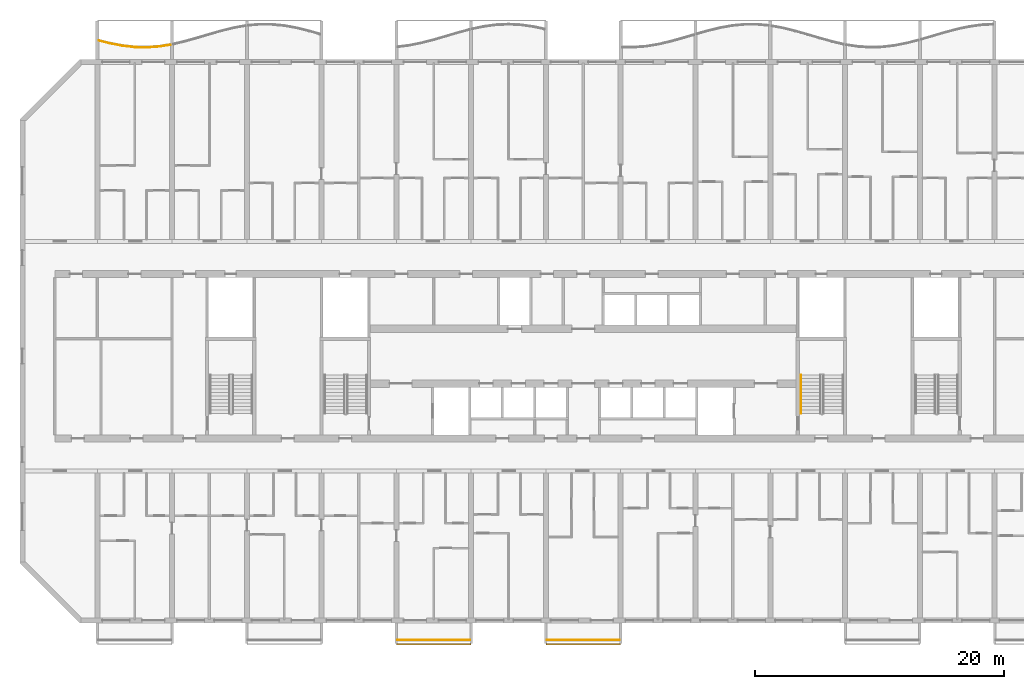
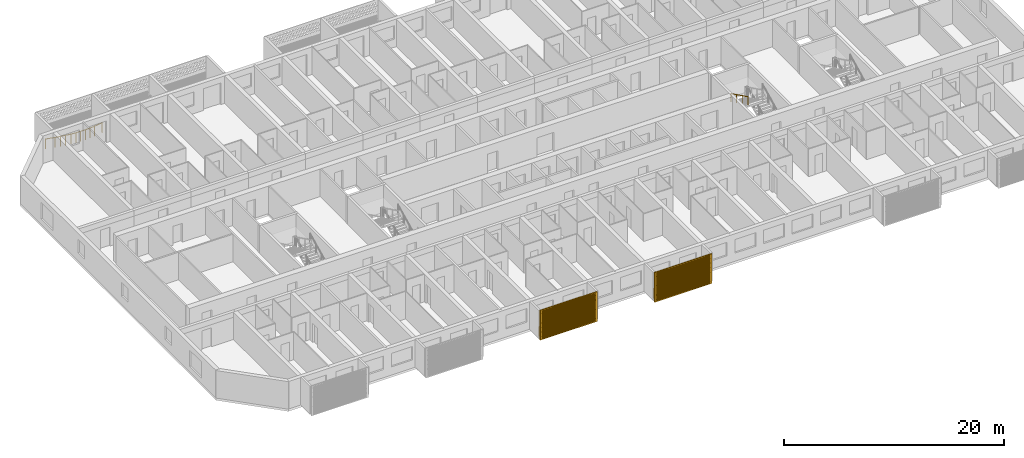
# One storey, part 19 of 39: 4 railings, 2 shading devices.
"""IFC4 building model written with IfcOpenShell, lengths in metres."""

import ifcopenshell
import ifcopenshell.guid

model = None  # the IFC model being written
_history = None  # IfcOwnerHistory: only IFC2X3 demands one
_inside = {}  # id of a spatial element -> (the spatial element, [elements in it])
_under = {}  # id of a project, library or spatial element -> (it, [spatial elements below it])
_declared = {}  # id of a project -> (the project, [libraries it declares])
_typed = {}  # id of a type object -> (the type object, [elements of that type])
_made_of = {}  # id of a material, layer set ... -> (it, [elements and type objects made of it])


def new_model(schema):
    """Start an empty IFC model of exactly this schema.

    Asked for "IFC4X3", IfcOpenShell would pick the latest addendum, in which some entities
    have other attributes; the version numbers below select the first issue.
    IFC2X3 requires an IfcOwnerHistory on every rooted entity: one is made here for all.
    """
    global model, _history
    if schema == "IFC4X3":
        model = ifcopenshell.file(schema_version=(4, 3, 0, 0))
    else:
        model = ifcopenshell.file(schema=schema)
    _inside.clear()
    _under.clear()
    _declared.clear()
    _typed.clear()
    _made_of.clear()
    _history = None
    if model.schema == "IFC2X3":
        org = make("IfcOrganization", Name="unknown")
        user = make(
            "IfcPersonAndOrganization",
            ThePerson=make("IfcPerson", FamilyName="unknown"),
            TheOrganization=org,
        )
        app = make(
            "IfcApplication",
            ApplicationDeveloper=org,
            Version="unknown",
            ApplicationFullName="unknown",
            ApplicationIdentifier="unknown",
        )
        _history = make(
            "IfcOwnerHistory",
            OwningUser=user,
            OwningApplication=app,
            ChangeAction="ADDED",
            CreationDate=0,
        )
    return model


def make(cls, **values):
    """One entity of the class cls with the attributes given. An attribute that is None is left unset."""
    return model.create_entity(
        cls, **{name: value for name, value in values.items() if value is not None}
    )


def rooted(cls, **values):
    """An entity with a GlobalId (a new one), such as an element, a storey or a relation."""
    return make(cls, GlobalId=ifcopenshell.guid.new(), OwnerHistory=_history, **values)


def si_unit(unit_type, name, prefix=None):
    """IfcSIUnit, for example si_unit("LENGTHUNIT", "METRE", prefix="MILLI")."""
    return make("IfcSIUnit", UnitType=unit_type, Prefix=prefix, Name=name)


def assignment(units):
    """IfcUnitAssignment: the units of a project."""
    return None if units is None else make("IfcUnitAssignment", Units=units)


def point(xyz):
    """IfcCartesianPoint."""
    return None if xyz is None else make("IfcCartesianPoint", Coordinates=xyz)


def direction(xyz):
    """IfcDirection."""
    return None if xyz is None else make("IfcDirection", DirectionRatios=xyz)


def frame(location, z_axis=None, x_axis=None):
    """IfcAxis2Placement3D, a coordinate frame: its origin and axes. An axis left out is left unset."""
    return make(
        "IfcAxis2Placement3D",
        Location=point(location),
        Axis=direction(z_axis),
        RefDirection=direction(x_axis),
    )


def frame_2d(location, x_axis=None):
    """IfcAxis2Placement2D, a coordinate frame in the plane: its origin and x axis."""
    return make(
        "IfcAxis2Placement2D", Location=point(location), RefDirection=direction(x_axis)
    )


def origin():
    """The frame at (0, 0, 0) with its axes left unset."""
    return frame((0.0, 0.0, 0.0))


def origin_2d():
    """The frame at (0, 0) in the plane with its x axis left unset."""
    return frame_2d((0.0, 0.0))


def place(relative_to, where):
    """IfcLocalPlacement: puts the frame where relative to a parent placement (None: the world)."""
    return make(
        "IfcLocalPlacement", PlacementRelTo=relative_to, RelativePlacement=where
    )


def context(
    kind, dimensions, precision=None, world=None, true_north=None, identifier=None
):
    """IfcGeometricRepresentationContext, for example the 3D "Model" context."""
    return make(
        "IfcGeometricRepresentationContext",
        ContextIdentifier=identifier,
        ContextType=kind,
        CoordinateSpaceDimension=dimensions,
        Precision=precision,
        WorldCoordinateSystem=world,
        TrueNorth=true_north,
    )


def subcontext(parent, identifier, kind, view, scale=None):
    """IfcGeometricRepresentationSubContext, for example "Body" below "Model"."""
    return make(
        "IfcGeometricRepresentationSubContext",
        ContextIdentifier=identifier,
        ContextType=kind,
        ParentContext=parent,
        TargetScale=scale,
        TargetView=view,
    )


def project(units=None, contexts=None):
    """IfcProject with its units and contexts."""
    return rooted(
        "IfcProject",
        Name="project",
        RepresentationContexts=contexts,
        UnitsInContext=assignment(units),
    )


def spatial(cls, under=None, at=None, **own):
    """A site, building, storey or space (cls), placed at a placement, below another one or the project."""
    s = rooted(cls, ObjectPlacement=at, **own)
    if under is not None:
        _under.setdefault(under.id(), (under, []))[1].append(s)
    return s


def polyline(points):
    """IfcPolyline through the points."""
    return make("IfcPolyline", Points=[point(p) for p in points])


def profile(cls, at=None, kind="AREA", **sizes):
    """A parametric profile (cls). Its sizes go by their IFC names, for example OverallWidth=200.0."""
    return make(cls, ProfileType=kind, Position=at, **sizes)


def circle(**sizes):
    """IfcCircleProfileDef."""
    return profile("IfcCircleProfileDef", **sizes)


def outline(outer, holes=None, kind="AREA"):
    """IfcArbitraryClosedProfileDef: a profile drawn as a closed curve; with holes, ...WithVoids."""
    if holes is None:
        return make("IfcArbitraryClosedProfileDef", ProfileType=kind, OuterCurve=outer)
    return make(
        "IfcArbitraryProfileDefWithVoids",
        ProfileType=kind,
        OuterCurve=outer,
        InnerCurves=holes,
    )


def extrude(swept, where, along, depth):
    """IfcExtrudedAreaSolid: the profile swept, set in the frame where, extruded along a direction by depth."""
    return make(
        "IfcExtrudedAreaSolid",
        SweptArea=swept,
        Position=where,
        ExtrudedDirection=direction(along),
        Depth=depth,
    )


def shape(context_of_items, identifier, shape_type, items):
    """IfcShapeRepresentation: the items that make up one representation, for example the "Body"."""
    return make(
        "IfcShapeRepresentation",
        ContextOfItems=context_of_items,
        RepresentationIdentifier=identifier,
        RepresentationType=shape_type,
        Items=items,
    )


def source(mapping_origin, context_of_items, identifier, shape_type, items):
    """IfcRepresentationMap: a shape defined once, which mapped items show again and again."""
    return make(
        "IfcRepresentationMap",
        MappingOrigin=mapping_origin,
        MappedRepresentation=shape(context_of_items, identifier, shape_type, items),
    )


def transform(
    local_origin,
    x_axis=None,
    y_axis=None,
    z_axis=None,
    scale=None,
    scale2=None,
    scale3=None,
    uniform=True,
):
    """IfcCartesianTransformationOperator3D, or its non-uniform kind. x_axis, y_axis, z_axis: its Axis1, 2, 3."""
    if uniform:
        return make(
            "IfcCartesianTransformationOperator3D",
            Axis1=direction(x_axis),
            Axis2=direction(y_axis),
            LocalOrigin=point(local_origin),
            Scale=scale,
            Axis3=direction(z_axis),
        )
    return make(
        "IfcCartesianTransformationOperator3DnonUniform",
        Axis1=direction(x_axis),
        Axis2=direction(y_axis),
        LocalOrigin=point(local_origin),
        Scale=scale,
        Axis3=direction(z_axis),
        Scale2=scale2,
        Scale3=scale3,
    )


def mapped(mapping_source, mapping_target):
    """IfcMappedItem: shows the shape of a source again, moved by a transform."""
    return make(
        "IfcMappedItem", MappingSource=mapping_source, MappingTarget=mapping_target
    )


def material(Name=None, Category=None):
    """IfcMaterial."""
    return make("IfcMaterial", Name=Name, Category=Category)


def material_profile(
    of_material, cross_section, Name=None, Category=None, Priority=None
):
    """IfcMaterialProfile: a cross section and its material."""
    return make(
        "IfcMaterialProfile",
        Name=Name,
        Material=of_material,
        Profile=cross_section,
        Priority=Priority,
        Category=Category,
    )


def profile_set(profiles, Name=None, composite=None):
    """IfcMaterialProfileSet."""
    return make(
        "IfcMaterialProfileSet",
        Name=Name,
        MaterialProfiles=profiles,
        CompositeProfile=composite,
    )


def made_of(thing, what):
    """Note that an element or type object is made of a material, layer set ...; save() writes the relation."""
    if what is not None:
        _made_of.setdefault(what.id(), (what, []))[1].append(thing)
    return thing


def type_object(cls, material=None, **own):
    """A type object (cls), such as IfcWallType, which elements share."""
    return made_of(rooted(cls, **own), material)


def element(
    cls,
    number,
    at=None,
    inside=None,
    cuts=None,
    type_object=None,
    material=None,
    context=None,
    identifier="Body",
    shape_type=None,
    held_by="IfcProductDefinitionShape",
    body=None,
    shapes=None,
    **own,
):
    """One element of the class cls, such as IfcWall. Its Tag is "e" and its number.

    at: its placement. inside: the storey or other place that contains it. cuts: it is an
    opening in that element (IfcRelVoidsElement). A single representation is given by context,
    identifier, shape_type and body (its items); several are given by shapes. held_by: the class
    of the entity that holds the representations. save() writes the other relations.
    """
    e = rooted(cls, Tag="e%d" % number, ObjectPlacement=at, **own)
    if body is not None:
        shapes = [shape(context, identifier, shape_type, body)]
    if shapes is not None:
        e.Representation = make(held_by, Representations=shapes)
    if inside is not None:
        _inside.setdefault(inside.id(), (inside, []))[1].append(e)
    if cuts is not None:
        rooted(
            "IfcRelVoidsElement", RelatingBuildingElement=cuts, RelatedOpeningElement=e
        )
    if type_object is not None:
        _typed.setdefault(type_object.id(), (type_object, []))[1].append(e)
    return made_of(e, material)


def aggregate(whole, parts):
    """IfcRelAggregates: a whole, such as a stair, and the parts it consists of."""
    return rooted("IfcRelAggregates", RelatingObject=whole, RelatedObjects=parts)


def save(model, path):
    """Write the relations noted so far, then the file.

    IfcRelAggregates (storeys below a building ...), IfcRelContainedInSpatialStructure (elements
    in a storey), IfcRelDefinesByType, IfcRelAssociatesMaterial and IfcRelDeclares: one each for
    every whole, place, type object, material and project.
    """
    for whole, parts in _under.values():
        aggregate(whole, parts)
    for where, things in _inside.values():
        rooted(
            "IfcRelContainedInSpatialStructure",
            RelatedElements=things,
            RelatingStructure=where,
        )
    for kind, things in _typed.values():
        rooted("IfcRelDefinesByType", RelatedObjects=things, RelatingType=kind)
    for what, things in _made_of.values():
        rooted("IfcRelAssociatesMaterial", RelatedObjects=things, RelatingMaterial=what)
    for by, libraries in _declared.values():
        rooted("IfcRelDeclares", RelatingContext=by, RelatedDefinitions=libraries)
    model.write(path)


model = new_model("IFC4")

# Units and contexts
model_context = context("Model", 3, precision=1e-05, world=origin(), true_north=direction((0.0, 1.0)))
body_context = subcontext(model_context, "Body", "Model", "MODEL_VIEW")
ifc_project = project(units=[si_unit("LENGTHUNIT", "METRE"), si_unit("AREAUNIT", "SQUARE_METRE"), si_unit("VOLUMEUNIT", "CUBIC_METRE"), si_unit("PLANEANGLEUNIT", "RADIAN"), si_unit("MASSUNIT", "GRAM", prefix="KILO")], contexts=[model_context])

# Site, building, storey
site_placement = place(None, origin())
site = spatial("IfcSite", under=ifc_project, at=site_placement, CompositionType="ELEMENT")
building_placement = place(site_placement, origin())
building = spatial("IfcBuilding", under=site, at=building_placement, Name="Poui Terraces", CompositionType="ELEMENT")
storey_placement = place(building_placement, frame((0.0, 0.0, 56.39990234375)))
storey = spatial("IfcBuildingStorey", under=building, at=storey_placement, Name="L15", CompositionType="ELEMENT", Elevation=56.39990234375)

# Railings
ifc_material_1 = material(Name="Painted steel fretwork", Category="steel")
railing_type_1 = type_object("IfcRailingType", Name="BALCONY GUARD 1100", PredefinedType="GUARDRAIL", material=ifc_material_1)
railing_1_placement = place(storey_placement, frame((12.125, 46.52099609375, 0.0)))
element("IfcRailing", 1, at=railing_1_placement, inside=storey, type_object=railing_type_1, Name="BALCONY GUARD", PredefinedType="GUARDRAIL", context=body_context, shape_type="SweptSolid", body=[
    extrude(circle(Radius=0.02392578125, at=origin_2d()), frame((0.0, 0.0, 1.076171875), z_axis=(0.969631101491, -0.24457213051, 0.0), x_axis=(0.24457213051, 0.969631101491, 0.0)), (0.0, 0.0, 1.0), 0.90234375),
    extrude(circle(Radius=0.02392578125, at=origin_2d()), frame((0.875, -0.220703125, 1.076171875), z_axis=(0.981769751937, -0.190074075509, 0.0), x_axis=(0.190074075509, 0.981769751937, 0.0)), (0.0, 0.0, 1.0), 1.0185546875),
    extrude(circle(Radius=0.02392578125, at=origin_2d()), frame((1.875, -0.414306640625, 1.076171875), z_axis=(0.993698932595, -0.112082252651, 0.0), x_axis=(0.112082252651, 0.993698932595, 0.0)), (0.0, 0.0, 1.0), 1.00634765625),
    extrude(circle(Radius=0.02392578125, at=origin_2d()), frame((2.875, -0.527099609375, 1.076171875), z_axis=(0.999804524294, -0.019771525017, 0.0), x_axis=(0.019771525017, 0.999804524294, 0.0)), (0.0, 0.0, 1.0), 1.000244140625),
    extrude(circle(Radius=0.02392578125, at=origin_2d()), frame((3.875, -0.546875, 1.076171875), z_axis=(0.997202940152, 0.074741528962, 0.0), x_axis=(-0.074741528962, 0.997202940152, 0.0)), (0.0, 0.0, 1.0), 1.002685546875),
    extrude(circle(Radius=0.02392578125, at=origin_2d()), frame((4.875, -0.471923828125, 1.076171875), z_axis=(0.987927799636, 0.154915017689, 0.0), x_axis=(-0.154915017689, 0.987927799636, 0.0)), (0.0, 0.0, 1.0), 0.8857421875),
    extrude(circle(Radius=0.02099609375, at=origin_2d()), origin(), (0.0, 0.0, 1.0), 1.052001953125),
    extrude(circle(Radius=0.02099609375, at=origin_2d()), frame((0.875, -0.220703125, 0.0)), (0.0, 0.0, 1.0), 1.052001953125),
    extrude(circle(Radius=0.02099609375, at=origin_2d()), frame((1.375, -0.3173828125, 0.0)), (0.0, 0.0, 1.0), 1.052001953125),
    extrude(circle(Radius=0.02099609375, at=origin_2d()), frame((1.875, -0.414306640625, 0.0)), (0.0, 0.0, 1.0), 1.052001953125),
    extrude(circle(Radius=0.02099609375, at=origin_2d()), frame((2.375, -0.470703125, 0.0)), (0.0, 0.0, 1.0), 1.052001953125),
    extrude(circle(Radius=0.02099609375, at=origin_2d()), frame((2.875, -0.527099609375, 0.0)), (0.0, 0.0, 1.0), 1.052001953125),
    extrude(circle(Radius=0.02099609375, at=origin_2d()), frame((3.375, -0.537109375, 0.0)), (0.0, 0.0, 1.0), 1.052001953125),
    extrude(circle(Radius=0.02099609375, at=origin_2d()), frame((3.875, -0.546875, 0.0)), (0.0, 0.0, 1.0), 1.052001953125),
    extrude(circle(Radius=0.02099609375, at=origin_2d()), frame((4.375, -0.50927734375, 0.0)), (0.0, 0.0, 1.0), 1.052001953125),
    extrude(circle(Radius=0.02099609375, at=origin_2d()), frame((4.875, -0.471923828125, 0.0)), (0.0, 0.0, 1.0), 1.052001953125),
    extrude(circle(Radius=0.02099609375, at=origin_2d()), frame((5.75, -0.334716796875, 0.0)), (0.0, 0.0, 1.0), 1.052001953125),
])
for number, where, name in (
    (2, (36.10009765625, -1.570068359375, 0.0), "BALCONY GUARD"),
    (3, (48.10009765625, -1.570068359375, 0.0), "BALCONY GUARD"),
):
    element("IfcRailing", number, at=place(storey_placement, frame(where)), inside=storey, type_object=railing_type_1, Name=name, PredefinedType="GUARDRAIL", context=body_context, shape_type="SweptSolid", body=[
        extrude(circle(Radius=0.02392578125, at=origin_2d()), frame((0.0, 0.0, 1.076171875), z_axis=(1.0, 0.0, 0.0), x_axis=(0.0, 1.0, 0.0)), (0.0, 0.0, 1.0), 5.7998046875),
        extrude(circle(Radius=0.02099609375, at=origin_2d()), origin(), (0.0, 0.0, 1.0), 1.052001953125),
        extrude(circle(Radius=0.02099609375, at=origin_2d()), frame((0.966552734375, 0.0, 0.0)), (0.0, 0.0, 1.0), 1.052001953125),
        extrude(circle(Radius=0.02099609375, at=origin_2d()), frame((1.933349609375, 0.0, 0.0)), (0.0, 0.0, 1.0), 1.052001953125),
        extrude(circle(Radius=0.02099609375, at=origin_2d()), frame((2.89990234375, 0.0, 0.0)), (0.0, 0.0, 1.0), 1.052001953125),
        extrude(circle(Radius=0.02099609375, at=origin_2d()), frame((3.866455078125, 0.0, 0.0)), (0.0, 0.0, 1.0), 1.052001953125),
        extrude(circle(Radius=0.02099609375, at=origin_2d()), frame((4.833251953125, 0.0, 0.0)), (0.0, 0.0, 1.0), 1.052001953125),
        extrude(circle(Radius=0.02099609375, at=origin_2d()), frame((5.7998046875, 0.0, 0.0)), (0.0, 0.0, 1.0), 1.052001953125),
    ])
ifc_material_2 = material(Name="Stainless steel handrail", Category="steel")
railing_type_2 = type_object("IfcRailingType", Name="STAIR HANDRAIL 900", PredefinedType="HANDRAIL", material=ifc_material_2)
railing_2_placement = place(storey_placement, frame((68.47509765625, 19.679931640625, 1.78759765625)))
element("IfcRailing", 4, at=railing_2_placement, inside=storey, type_object=railing_type_2, Name="L15 ST-CE stair handrail 2", PredefinedType="HANDRAIL", context=body_context, shape_type="SweptSolid", body=[
    extrude(circle(Radius=0.02392578125, at=origin_2d()), frame((0.0, 0.0, 0.8759765625), z_axis=(0.0, -0.897606190399, 0.440798283751), x_axis=(1.0, 0.0, 0.0)), (0.0, 0.0, 1.0), 3.43115234375),
    extrude(circle(Radius=0.02099609375, at=origin_2d()), origin(), (0.0, 0.0, 1.0), 0.851806640625),
    extrude(circle(Radius=0.02099609375, at=origin_2d()), frame((0.0, -1.026611328125, 0.504150390625)), (0.0, 0.0, 1.0), 0.851806640625),
    extrude(circle(Radius=0.02099609375, at=origin_2d()), frame((0.0, -2.05322265625, 1.00830078125)), (0.0, 0.0, 1.0), 0.851806640625),
    extrude(circle(Radius=0.02099609375, at=origin_2d()), frame((0.0, -3.079833984375, 1.512451171875)), (0.0, 0.0, 1.0), 0.851806640625),
])

# Shading devices
ifc_material_3 = material(Name="Aluminium louvre", Category="aluminium")
ifc_material_profile = material_profile(ifc_material_3, outline(polyline([(-3.0, -1.64990234375), (3.0, -1.64990234375), (3.0, 1.64990234375), (-3.0, 1.64990234375), (-3.0, -1.64990234375)]), holes=[polyline([(-2.800048828125, -1.530029296875), (2.800048828125, -1.530029296875), (2.800048828125, -1.469970703125), (-2.800048828125, -1.469970703125), (-2.800048828125, -1.530029296875)]), polyline([(-2.800048828125, -1.429931640625), (2.800048828125, -1.429931640625), (2.800048828125, -1.3701171875), (-2.800048828125, -1.3701171875), (-2.800048828125, -1.429931640625)]), polyline([(-2.800048828125, -1.330078125), (2.800048828125, -1.330078125), (2.800048828125, -1.27001953125), (-2.800048828125, -1.27001953125), (-2.800048828125, -1.330078125)]), polyline([(-2.800048828125, -1.22998046875), (2.800048828125, -1.22998046875), (2.800048828125, -1.169921875), (-2.800048828125, -1.169921875), (-2.800048828125, -1.22998046875)]), polyline([(-2.800048828125, -1.1298828125), (2.800048828125, -1.1298828125), (2.800048828125, -1.070068359375), (-2.800048828125, -1.070068359375), (-2.800048828125, -1.1298828125)]), polyline([(-2.800048828125, -1.030029296875), (2.800048828125, -1.030029296875), (2.800048828125, -0.969970703125), (-2.800048828125, -0.969970703125), (-2.800048828125, -1.030029296875)]), polyline([(-2.800048828125, -0.929931640625), (2.800048828125, -0.929931640625), (2.800048828125, -0.8701171875), (-2.800048828125, -0.8701171875), (-2.800048828125, -0.929931640625)]), polyline([(-2.800048828125, -0.830078125), (2.800048828125, -0.830078125), (2.800048828125, -0.77001953125), (-2.800048828125, -0.77001953125), (-2.800048828125, -0.830078125)]), polyline([(-2.800048828125, -0.72998046875), (2.800048828125, -0.72998046875), (2.800048828125, -0.669921875), (-2.800048828125, -0.669921875), (-2.800048828125, -0.72998046875)]), polyline([(-2.800048828125, -0.6298828125), (2.800048828125, -0.6298828125), (2.800048828125, -0.570068359375), (-2.800048828125, -0.570068359375), (-2.800048828125, -0.6298828125)]), polyline([(-2.800048828125, -0.530029296875), (2.800048828125, -0.530029296875), (2.800048828125, -0.469970703125), (-2.800048828125, -0.469970703125), (-2.800048828125, -0.530029296875)]), polyline([(-2.800048828125, -0.429931640625), (2.800048828125, -0.429931640625), (2.800048828125, -0.3701171875), (-2.800048828125, -0.3701171875), (-2.800048828125, -0.429931640625)]), polyline([(-2.800048828125, -0.330078125), (2.800048828125, -0.330078125), (2.800048828125, -0.27001953125), (-2.800048828125, -0.27001953125), (-2.800048828125, -0.330078125)]), polyline([(-2.800048828125, -0.22998046875), (2.800048828125, -0.22998046875), (2.800048828125, -0.169921875), (-2.800048828125, -0.169921875), (-2.800048828125, -0.22998046875)]), polyline([(-2.800048828125, -0.1298828125), (2.800048828125, -0.1298828125), (2.800048828125, -0.070068359375), (-2.800048828125, -0.070068359375), (-2.800048828125, -0.1298828125)]), polyline([(-2.800048828125, -0.030029296875), (2.800048828125, -0.030029296875), (2.800048828125, 0.030029296875), (-2.800048828125, 0.030029296875), (-2.800048828125, -0.030029296875)]), polyline([(-2.800048828125, 0.070068359375), (2.800048828125, 0.070068359375), (2.800048828125, 0.1298828125), (-2.800048828125, 0.1298828125), (-2.800048828125, 0.070068359375)]), polyline([(-2.800048828125, 0.169921875), (2.800048828125, 0.169921875), (2.800048828125, 0.22998046875), (-2.800048828125, 0.22998046875), (-2.800048828125, 0.169921875)]), polyline([(-2.800048828125, 0.27001953125), (2.800048828125, 0.27001953125), (2.800048828125, 0.330078125), (-2.800048828125, 0.330078125), (-2.800048828125, 0.27001953125)]), polyline([(-2.800048828125, 0.3701171875), (2.800048828125, 0.3701171875), (2.800048828125, 0.429931640625), (-2.800048828125, 0.429931640625), (-2.800048828125, 0.3701171875)]), polyline([(-2.800048828125, 0.469970703125), (2.800048828125, 0.469970703125), (2.800048828125, 0.530029296875), (-2.800048828125, 0.530029296875), (-2.800048828125, 0.469970703125)]), polyline([(-2.800048828125, 0.570068359375), (2.800048828125, 0.570068359375), (2.800048828125, 0.6298828125), (-2.800048828125, 0.6298828125), (-2.800048828125, 0.570068359375)]), polyline([(-2.800048828125, 0.669921875), (2.800048828125, 0.669921875), (2.800048828125, 0.72998046875), (-2.800048828125, 0.72998046875), (-2.800048828125, 0.669921875)]), polyline([(-2.800048828125, 0.77001953125), (2.800048828125, 0.77001953125), (2.800048828125, 0.830078125), (-2.800048828125, 0.830078125), (-2.800048828125, 0.77001953125)]), polyline([(-2.800048828125, 0.8701171875), (2.800048828125, 0.8701171875), (2.800048828125, 0.929931640625), (-2.800048828125, 0.929931640625), (-2.800048828125, 0.8701171875)]), polyline([(-2.800048828125, 0.969970703125), (2.800048828125, 0.969970703125), (2.800048828125, 1.030029296875), (-2.800048828125, 1.030029296875), (-2.800048828125, 0.969970703125)]), polyline([(-2.800048828125, 1.070068359375), (2.800048828125, 1.070068359375), (2.800048828125, 1.1298828125), (-2.800048828125, 1.1298828125), (-2.800048828125, 1.070068359375)]), polyline([(-2.800048828125, 1.169921875), (2.800048828125, 1.169921875), (2.800048828125, 1.22998046875), (-2.800048828125, 1.22998046875), (-2.800048828125, 1.169921875)]), polyline([(-2.800048828125, 1.27001953125), (2.800048828125, 1.27001953125), (2.800048828125, 1.330078125), (-2.800048828125, 1.330078125), (-2.800048828125, 1.27001953125)]), polyline([(-2.800048828125, 1.3701171875), (2.800048828125, 1.3701171875), (2.800048828125, 1.429931640625), (-2.800048828125, 1.429931640625), (-2.800048828125, 1.3701171875)]), polyline([(-2.800048828125, 1.469970703125), (2.800048828125, 1.469970703125), (2.800048828125, 1.530029296875), (-2.800048828125, 1.530029296875), (-2.800048828125, 1.469970703125)])]), Name="JALOUSIE LOUVRE SHUTTER 6000X3300")
ifc_profile_set = profile_set([ifc_material_profile], Name="Aluminium louvre")
shading_device_type = type_object("IfcShadingDeviceType", Name="JALOUSIE LOUVRE SHUTTER 6000X3300", PredefinedType="JALOUSIE", material=ifc_profile_set)
shared_shape = source(origin(), body_context, "Body", "SweptSolid", [
    extrude(outline(polyline([(-3.0, -1.64990234375), (3.0, -1.64990234375), (3.0, 1.64990234375), (-3.0, 1.64990234375), (-3.0, -1.64990234375)]), holes=[polyline([(-2.800048828125, -1.530029296875), (2.800048828125, -1.530029296875), (2.800048828125, -1.469970703125), (-2.800048828125, -1.469970703125), (-2.800048828125, -1.530029296875)]), polyline([(-2.800048828125, -1.429931640625), (2.800048828125, -1.429931640625), (2.800048828125, -1.3701171875), (-2.800048828125, -1.3701171875), (-2.800048828125, -1.429931640625)]), polyline([(-2.800048828125, -1.330078125), (2.800048828125, -1.330078125), (2.800048828125, -1.27001953125), (-2.800048828125, -1.27001953125), (-2.800048828125, -1.330078125)]), polyline([(-2.800048828125, -1.22998046875), (2.800048828125, -1.22998046875), (2.800048828125, -1.169921875), (-2.800048828125, -1.169921875), (-2.800048828125, -1.22998046875)]), polyline([(-2.800048828125, -1.1298828125), (2.800048828125, -1.1298828125), (2.800048828125, -1.070068359375), (-2.800048828125, -1.070068359375), (-2.800048828125, -1.1298828125)]), polyline([(-2.800048828125, -1.030029296875), (2.800048828125, -1.030029296875), (2.800048828125, -0.969970703125), (-2.800048828125, -0.969970703125), (-2.800048828125, -1.030029296875)]), polyline([(-2.800048828125, -0.929931640625), (2.800048828125, -0.929931640625), (2.800048828125, -0.8701171875), (-2.800048828125, -0.8701171875), (-2.800048828125, -0.929931640625)]), polyline([(-2.800048828125, -0.830078125), (2.800048828125, -0.830078125), (2.800048828125, -0.77001953125), (-2.800048828125, -0.77001953125), (-2.800048828125, -0.830078125)]), polyline([(-2.800048828125, -0.72998046875), (2.800048828125, -0.72998046875), (2.800048828125, -0.669921875), (-2.800048828125, -0.669921875), (-2.800048828125, -0.72998046875)]), polyline([(-2.800048828125, -0.6298828125), (2.800048828125, -0.6298828125), (2.800048828125, -0.570068359375), (-2.800048828125, -0.570068359375), (-2.800048828125, -0.6298828125)]), polyline([(-2.800048828125, -0.530029296875), (2.800048828125, -0.530029296875), (2.800048828125, -0.469970703125), (-2.800048828125, -0.469970703125), (-2.800048828125, -0.530029296875)]), polyline([(-2.800048828125, -0.429931640625), (2.800048828125, -0.429931640625), (2.800048828125, -0.3701171875), (-2.800048828125, -0.3701171875), (-2.800048828125, -0.429931640625)]), polyline([(-2.800048828125, -0.330078125), (2.800048828125, -0.330078125), (2.800048828125, -0.27001953125), (-2.800048828125, -0.27001953125), (-2.800048828125, -0.330078125)]), polyline([(-2.800048828125, -0.22998046875), (2.800048828125, -0.22998046875), (2.800048828125, -0.169921875), (-2.800048828125, -0.169921875), (-2.800048828125, -0.22998046875)]), polyline([(-2.800048828125, -0.1298828125), (2.800048828125, -0.1298828125), (2.800048828125, -0.070068359375), (-2.800048828125, -0.070068359375), (-2.800048828125, -0.1298828125)]), polyline([(-2.800048828125, -0.030029296875), (2.800048828125, -0.030029296875), (2.800048828125, 0.030029296875), (-2.800048828125, 0.030029296875), (-2.800048828125, -0.030029296875)]), polyline([(-2.800048828125, 0.070068359375), (2.800048828125, 0.070068359375), (2.800048828125, 0.1298828125), (-2.800048828125, 0.1298828125), (-2.800048828125, 0.070068359375)]), polyline([(-2.800048828125, 0.169921875), (2.800048828125, 0.169921875), (2.800048828125, 0.22998046875), (-2.800048828125, 0.22998046875), (-2.800048828125, 0.169921875)]), polyline([(-2.800048828125, 0.27001953125), (2.800048828125, 0.27001953125), (2.800048828125, 0.330078125), (-2.800048828125, 0.330078125), (-2.800048828125, 0.27001953125)]), polyline([(-2.800048828125, 0.3701171875), (2.800048828125, 0.3701171875), (2.800048828125, 0.429931640625), (-2.800048828125, 0.429931640625), (-2.800048828125, 0.3701171875)]), polyline([(-2.800048828125, 0.469970703125), (2.800048828125, 0.469970703125), (2.800048828125, 0.530029296875), (-2.800048828125, 0.530029296875), (-2.800048828125, 0.469970703125)]), polyline([(-2.800048828125, 0.570068359375), (2.800048828125, 0.570068359375), (2.800048828125, 0.6298828125), (-2.800048828125, 0.6298828125), (-2.800048828125, 0.570068359375)]), polyline([(-2.800048828125, 0.669921875), (2.800048828125, 0.669921875), (2.800048828125, 0.72998046875), (-2.800048828125, 0.72998046875), (-2.800048828125, 0.669921875)]), polyline([(-2.800048828125, 0.77001953125), (2.800048828125, 0.77001953125), (2.800048828125, 0.830078125), (-2.800048828125, 0.830078125), (-2.800048828125, 0.77001953125)]), polyline([(-2.800048828125, 0.8701171875), (2.800048828125, 0.8701171875), (2.800048828125, 0.929931640625), (-2.800048828125, 0.929931640625), (-2.800048828125, 0.8701171875)]), polyline([(-2.800048828125, 0.969970703125), (2.800048828125, 0.969970703125), (2.800048828125, 1.030029296875), (-2.800048828125, 1.030029296875), (-2.800048828125, 0.969970703125)]), polyline([(-2.800048828125, 1.070068359375), (2.800048828125, 1.070068359375), (2.800048828125, 1.1298828125), (-2.800048828125, 1.1298828125), (-2.800048828125, 1.070068359375)]), polyline([(-2.800048828125, 1.169921875), (2.800048828125, 1.169921875), (2.800048828125, 1.22998046875), (-2.800048828125, 1.22998046875), (-2.800048828125, 1.169921875)]), polyline([(-2.800048828125, 1.27001953125), (2.800048828125, 1.27001953125), (2.800048828125, 1.330078125), (-2.800048828125, 1.330078125), (-2.800048828125, 1.27001953125)]), polyline([(-2.800048828125, 1.3701171875), (2.800048828125, 1.3701171875), (2.800048828125, 1.429931640625), (-2.800048828125, 1.429931640625), (-2.800048828125, 1.3701171875)]), polyline([(-2.800048828125, 1.469970703125), (2.800048828125, 1.469970703125), (2.800048828125, 1.530029296875), (-2.800048828125, 1.530029296875), (-2.800048828125, 1.469970703125)])]), origin(), (0.0, 0.0, 1.0), 0.099853515625),
])
for number, where, z_axis, x_axis, name in (
    (5, (39.0, -1.85009765625, 1.4501953125), (0.0, -1.0, 0.0), (1.0, 0.0, 0.0), "JALOUSIE LOUVRE SHUTTER"),
    (6, (51.0, -1.85009765625, 1.4501953125), (0.0, -1.0, 0.0), (1.0, 0.0, 0.0), "JALOUSIE LOUVRE SHUTTER"),
):
    element("IfcShadingDevice", number, at=place(storey_placement, frame(where, z_axis=z_axis, x_axis=x_axis)), inside=storey, type_object=shading_device_type, Name=name, PredefinedType="JALOUSIE", context=body_context, shape_type="MappedRepresentation", body=[
        mapped(shared_shape, transform((0.0, 0.0, 0.0))),
    ])

save(model, "model.ifc")
